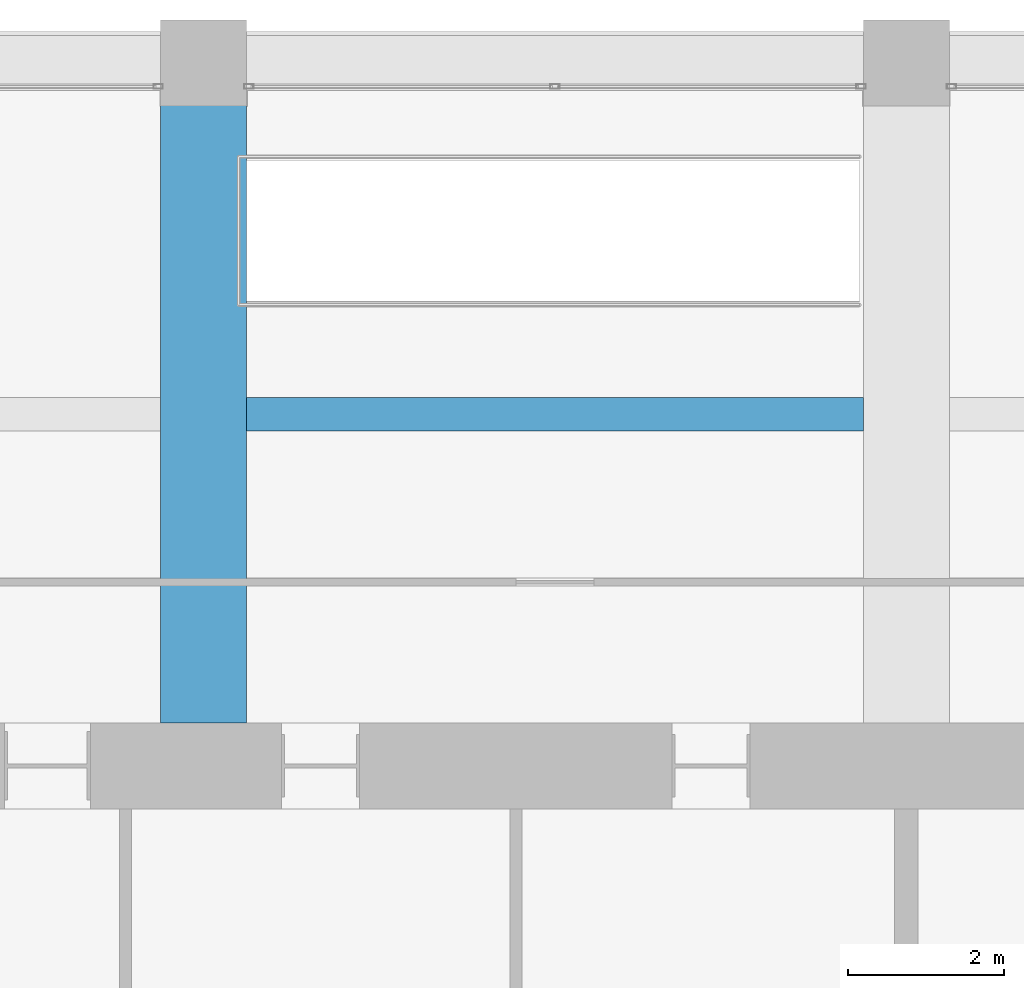
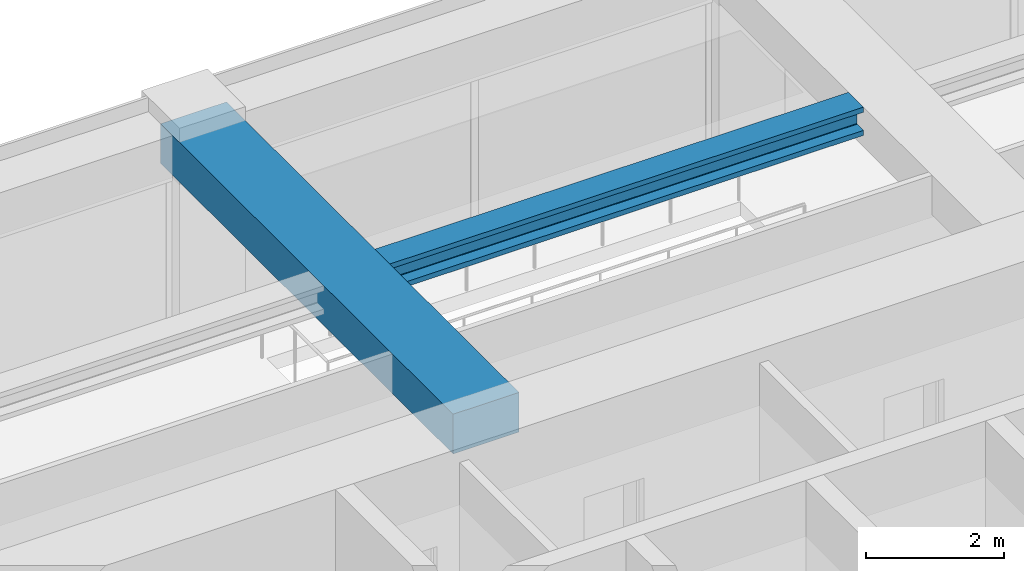
# One storey, part 32 of 44: 2 beams.
"""IFC4 building model written with IfcOpenShell, lengths in metres."""

from ifc_helpers import new_model, si_unit, direction, frame, origin, origin_2d, place, context, subcontext, project, spatial, rectangle, i_section, extrude, material, material_profile, profile_set, type_object, element, save


model = new_model("IFC4")

# Units and contexts
model_context = context("Model", 3, precision=1e-05, world=origin(), true_north=direction((0.0, 1.0)))
body_context = subcontext(model_context, "Body", "Model", "MODEL_VIEW")
ifc_project = project(units=[si_unit("LENGTHUNIT", "METRE"), si_unit("AREAUNIT", "SQUARE_METRE"), si_unit("VOLUMEUNIT", "CUBIC_METRE"), si_unit("PLANEANGLEUNIT", "RADIAN"), si_unit("MASSUNIT", "GRAM", prefix="KILO")], contexts=[model_context])

# Site, building, storey
site_placement = place(None, origin())
site = spatial("IfcSite", under=ifc_project, at=site_placement, CompositionType="ELEMENT")
building_placement = place(site_placement, origin())
building = spatial("IfcBuilding", under=site, at=building_placement, Name="Zorevar Civic Tower", CompositionType="ELEMENT")
storey_placement = place(building_placement, frame((0.0, 0.0, 295.39990234375)))
storey = spatial("IfcBuildingStorey", under=building, at=storey_placement, Name="L72", CompositionType="ELEMENT", Elevation=295.39990234375)

# Beams
ifc_material_1 = material(Name="Concrete C50/60", Category="concrete")
ifc_material_profile_1 = material_profile(ifc_material_1, rectangle(XDim=1.10009765625, YDim=0.699951171875, at=origin_2d()), Name="RC 1100x700")
ifc_profile_set_1 = profile_set([ifc_material_profile_1], Name="Concrete C50/60")
beam_type_1 = type_object("IfcBeamType", Name="Beam RC 1100x700", PredefinedType="BEAM", material=ifc_profile_set_1)
beam_1_placement = place(storey_placement, frame((27.0, 36.550048828125, 3.400146484375), z_axis=(0.0, 1.0, 0.0), x_axis=(-1.0, 0.0, 0.0)))
element("IfcBeam", 1, at=beam_1_placement, inside=storey, type_object=beam_type_1, Name="Girder L73", PredefinedType="BEAM", context=body_context, shape_type="SweptSolid", body=[
    extrude(rectangle(XDim=1.10009765625, YDim=0.699951171875, at=origin_2d()), origin(), (0.0, 0.0, 1.0), 8.449951171875),
])
ifc_material_2 = material(Name="Steel S460M (HISTAR 460)", Category="steel")
ifc_material_profile_2 = material_profile(ifc_material_2, i_section(OverallWidth=0.431884765625, OverallDepth=0.498046875, WebThickness=0.0556640625, FlangeThickness=0.0888671875, FilletRadius=0.014892578125, at=origin_2d()), Name="HD 400x744")
ifc_profile_set_2 = profile_set([ifc_material_profile_2], Name="Steel S460M (HISTAR 460)")
beam_type_2 = type_object("IfcBeamType", Name="Core bay beam HD 400x744", PredefinedType="BEAM", material=ifc_profile_set_2)
beam_2_placement = place(storey_placement, frame((27.550048828125, 40.5, 3.5009765625), z_axis=(1.0, 0.0, 0.0), x_axis=(0.0, 1.0, 0.0)))
element("IfcBeam", 2, at=beam_2_placement, inside=storey, type_object=beam_type_2, Name="Secondary beam L73", PredefinedType="BEAM", context=body_context, shape_type="SweptSolid", body=[
    extrude(i_section(OverallWidth=0.431884765625, OverallDepth=0.498046875, WebThickness=0.0556640625, FlangeThickness=0.0888671875, FilletRadius=0.014892578125, at=origin_2d()), origin(), (0.0, 0.0, 1.0), 7.89990234375),
])

save(model, "model.ifc")
